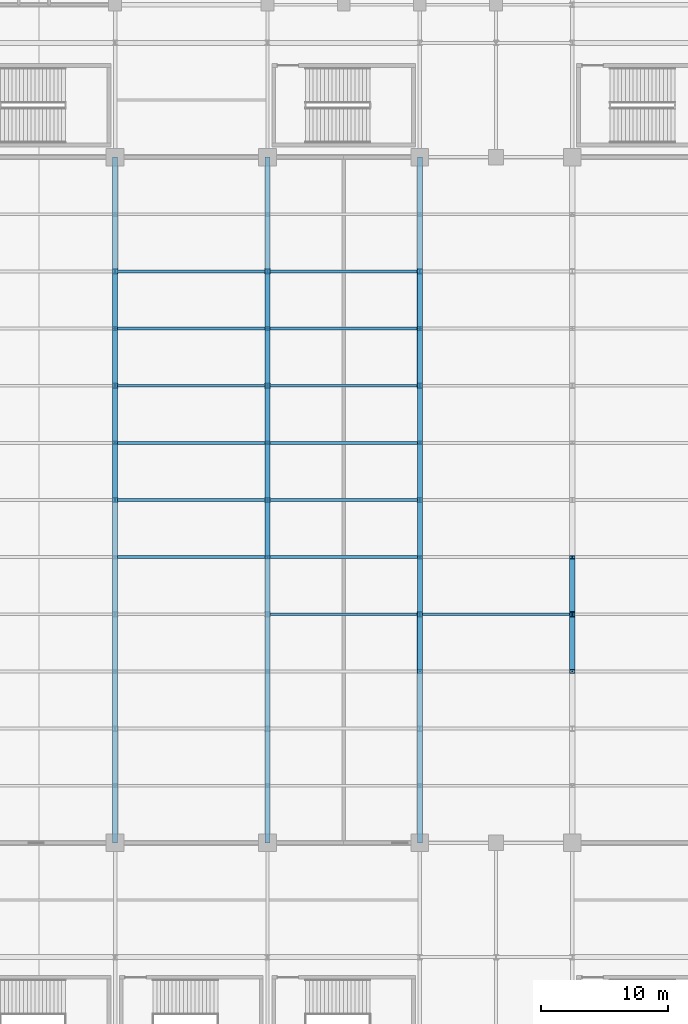
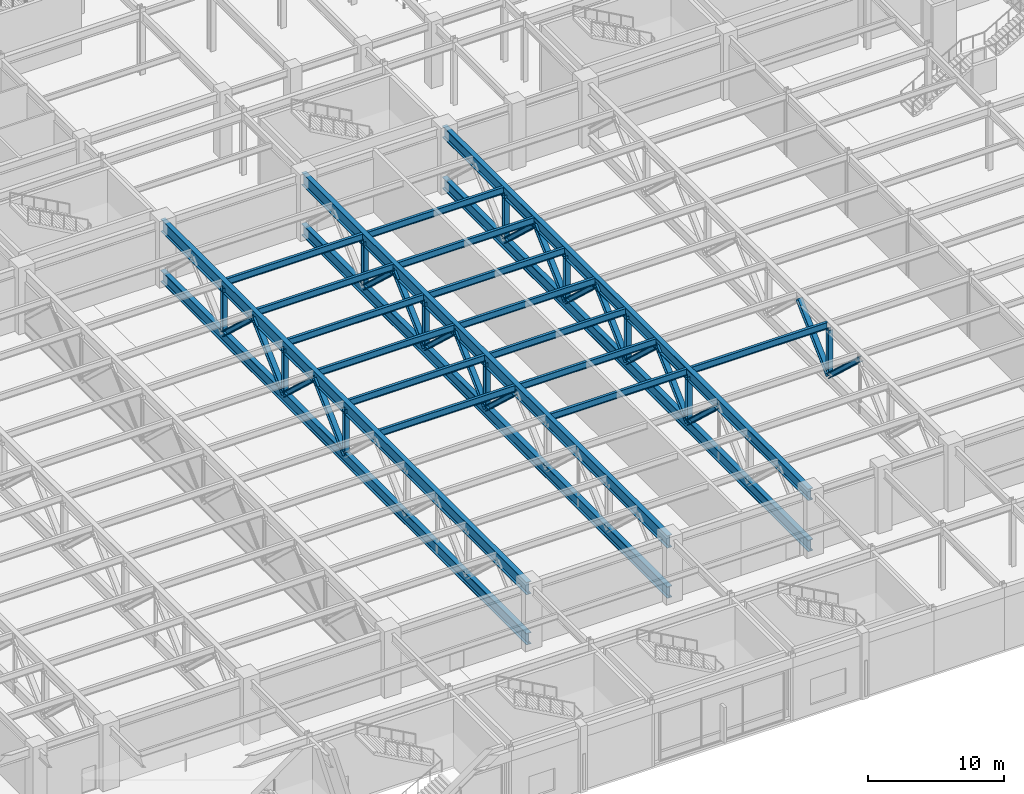
# One storey, part 40 of 108: 32 members, 17 beams.
"""IFC4 building model written with IfcOpenShell, lengths in metres."""

import ifcopenshell
import ifcopenshell.guid

model = None  # the IFC model being written
_history = None  # IfcOwnerHistory: only IFC2X3 demands one
_inside = {}  # id of a spatial element -> (the spatial element, [elements in it])
_under = {}  # id of a project, library or spatial element -> (it, [spatial elements below it])
_declared = {}  # id of a project -> (the project, [libraries it declares])
_typed = {}  # id of a type object -> (the type object, [elements of that type])
_made_of = {}  # id of a material, layer set ... -> (it, [elements and type objects made of it])


def new_model(schema):
    """Start an empty IFC model of exactly this schema.

    Asked for "IFC4X3", IfcOpenShell would pick the latest addendum, in which some entities
    have other attributes; the version numbers below select the first issue.
    IFC2X3 requires an IfcOwnerHistory on every rooted entity: one is made here for all.
    """
    global model, _history
    if schema == "IFC4X3":
        model = ifcopenshell.file(schema_version=(4, 3, 0, 0))
    else:
        model = ifcopenshell.file(schema=schema)
    _inside.clear()
    _under.clear()
    _declared.clear()
    _typed.clear()
    _made_of.clear()
    _history = None
    if model.schema == "IFC2X3":
        org = make("IfcOrganization", Name="unknown")
        user = make(
            "IfcPersonAndOrganization",
            ThePerson=make("IfcPerson", FamilyName="unknown"),
            TheOrganization=org,
        )
        app = make(
            "IfcApplication",
            ApplicationDeveloper=org,
            Version="unknown",
            ApplicationFullName="unknown",
            ApplicationIdentifier="unknown",
        )
        _history = make(
            "IfcOwnerHistory",
            OwningUser=user,
            OwningApplication=app,
            ChangeAction="ADDED",
            CreationDate=0,
        )
    return model


def make(cls, **values):
    """One entity of the class cls with the attributes given. An attribute that is None is left unset."""
    return model.create_entity(
        cls, **{name: value for name, value in values.items() if value is not None}
    )


def rooted(cls, **values):
    """An entity with a GlobalId (a new one), such as an element, a storey or a relation."""
    return make(cls, GlobalId=ifcopenshell.guid.new(), OwnerHistory=_history, **values)


def si_unit(unit_type, name, prefix=None):
    """IfcSIUnit, for example si_unit("LENGTHUNIT", "METRE", prefix="MILLI")."""
    return make("IfcSIUnit", UnitType=unit_type, Prefix=prefix, Name=name)


def assignment(units):
    """IfcUnitAssignment: the units of a project."""
    return None if units is None else make("IfcUnitAssignment", Units=units)


def point(xyz):
    """IfcCartesianPoint."""
    return None if xyz is None else make("IfcCartesianPoint", Coordinates=xyz)


def direction(xyz):
    """IfcDirection."""
    return None if xyz is None else make("IfcDirection", DirectionRatios=xyz)


def frame(location, z_axis=None, x_axis=None):
    """IfcAxis2Placement3D, a coordinate frame: its origin and axes. An axis left out is left unset."""
    return make(
        "IfcAxis2Placement3D",
        Location=point(location),
        Axis=direction(z_axis),
        RefDirection=direction(x_axis),
    )


def frame_2d(location, x_axis=None):
    """IfcAxis2Placement2D, a coordinate frame in the plane: its origin and x axis."""
    return make(
        "IfcAxis2Placement2D", Location=point(location), RefDirection=direction(x_axis)
    )


def origin():
    """The frame at (0, 0, 0) with its axes left unset."""
    return frame((0.0, 0.0, 0.0))


def origin_2d():
    """The frame at (0, 0) in the plane with its x axis left unset."""
    return frame_2d((0.0, 0.0))


def place(relative_to, where):
    """IfcLocalPlacement: puts the frame where relative to a parent placement (None: the world)."""
    return make(
        "IfcLocalPlacement", PlacementRelTo=relative_to, RelativePlacement=where
    )


def context(
    kind, dimensions, precision=None, world=None, true_north=None, identifier=None
):
    """IfcGeometricRepresentationContext, for example the 3D "Model" context."""
    return make(
        "IfcGeometricRepresentationContext",
        ContextIdentifier=identifier,
        ContextType=kind,
        CoordinateSpaceDimension=dimensions,
        Precision=precision,
        WorldCoordinateSystem=world,
        TrueNorth=true_north,
    )


def subcontext(parent, identifier, kind, view, scale=None):
    """IfcGeometricRepresentationSubContext, for example "Body" below "Model"."""
    return make(
        "IfcGeometricRepresentationSubContext",
        ContextIdentifier=identifier,
        ContextType=kind,
        ParentContext=parent,
        TargetScale=scale,
        TargetView=view,
    )


def project(units=None, contexts=None):
    """IfcProject with its units and contexts."""
    return rooted(
        "IfcProject",
        Name="project",
        RepresentationContexts=contexts,
        UnitsInContext=assignment(units),
    )


def spatial(cls, under=None, at=None, **own):
    """A site, building, storey or space (cls), placed at a placement, below another one or the project."""
    s = rooted(cls, ObjectPlacement=at, **own)
    if under is not None:
        _under.setdefault(under.id(), (under, []))[1].append(s)
    return s


def profile(cls, at=None, kind="AREA", **sizes):
    """A parametric profile (cls). Its sizes go by their IFC names, for example OverallWidth=200.0."""
    return make(cls, ProfileType=kind, Position=at, **sizes)


def i_section(**sizes):
    """IfcIShapeProfileDef."""
    return profile("IfcIShapeProfileDef", **sizes)


def extrude(swept, where, along, depth):
    """IfcExtrudedAreaSolid: the profile swept, set in the frame where, extruded along a direction by depth."""
    return make(
        "IfcExtrudedAreaSolid",
        SweptArea=swept,
        Position=where,
        ExtrudedDirection=direction(along),
        Depth=depth,
    )


def shape(context_of_items, identifier, shape_type, items):
    """IfcShapeRepresentation: the items that make up one representation, for example the "Body"."""
    return make(
        "IfcShapeRepresentation",
        ContextOfItems=context_of_items,
        RepresentationIdentifier=identifier,
        RepresentationType=shape_type,
        Items=items,
    )


def material(Name=None, Category=None):
    """IfcMaterial."""
    return make("IfcMaterial", Name=Name, Category=Category)


def material_profile(
    of_material, cross_section, Name=None, Category=None, Priority=None
):
    """IfcMaterialProfile: a cross section and its material."""
    return make(
        "IfcMaterialProfile",
        Name=Name,
        Material=of_material,
        Profile=cross_section,
        Priority=Priority,
        Category=Category,
    )


def profile_set(profiles, Name=None, composite=None):
    """IfcMaterialProfileSet."""
    return make(
        "IfcMaterialProfileSet",
        Name=Name,
        MaterialProfiles=profiles,
        CompositeProfile=composite,
    )


def made_of(thing, what):
    """Note that an element or type object is made of a material, layer set ...; save() writes the relation."""
    if what is not None:
        _made_of.setdefault(what.id(), (what, []))[1].append(thing)
    return thing


def type_object(cls, material=None, **own):
    """A type object (cls), such as IfcWallType, which elements share."""
    return made_of(rooted(cls, **own), material)


def element(
    cls,
    number,
    at=None,
    inside=None,
    cuts=None,
    type_object=None,
    material=None,
    context=None,
    identifier="Body",
    shape_type=None,
    held_by="IfcProductDefinitionShape",
    body=None,
    shapes=None,
    **own,
):
    """One element of the class cls, such as IfcWall. Its Tag is "e" and its number.

    at: its placement. inside: the storey or other place that contains it. cuts: it is an
    opening in that element (IfcRelVoidsElement). A single representation is given by context,
    identifier, shape_type and body (its items); several are given by shapes. held_by: the class
    of the entity that holds the representations. save() writes the other relations.
    """
    e = rooted(cls, Tag="e%d" % number, ObjectPlacement=at, **own)
    if body is not None:
        shapes = [shape(context, identifier, shape_type, body)]
    if shapes is not None:
        e.Representation = make(held_by, Representations=shapes)
    if inside is not None:
        _inside.setdefault(inside.id(), (inside, []))[1].append(e)
    if cuts is not None:
        rooted(
            "IfcRelVoidsElement", RelatingBuildingElement=cuts, RelatedOpeningElement=e
        )
    if type_object is not None:
        _typed.setdefault(type_object.id(), (type_object, []))[1].append(e)
    return made_of(e, material)


def aggregate(whole, parts):
    """IfcRelAggregates: a whole, such as a stair, and the parts it consists of."""
    return rooted("IfcRelAggregates", RelatingObject=whole, RelatedObjects=parts)


def save(model, path):
    """Write the relations noted so far, then the file.

    IfcRelAggregates (storeys below a building ...), IfcRelContainedInSpatialStructure (elements
    in a storey), IfcRelDefinesByType, IfcRelAssociatesMaterial and IfcRelDeclares: one each for
    every whole, place, type object, material and project.
    """
    for whole, parts in _under.values():
        aggregate(whole, parts)
    for where, things in _inside.values():
        rooted(
            "IfcRelContainedInSpatialStructure",
            RelatedElements=things,
            RelatingStructure=where,
        )
    for kind, things in _typed.values():
        rooted("IfcRelDefinesByType", RelatedObjects=things, RelatingType=kind)
    for what, things in _made_of.values():
        rooted("IfcRelAssociatesMaterial", RelatedObjects=things, RelatingMaterial=what)
    for by, libraries in _declared.values():
        rooted("IfcRelDeclares", RelatingContext=by, RelatedDefinitions=libraries)
    model.write(path)


model = new_model("IFC4")

# Units and contexts
model_context = context("Model", 3, precision=1e-05, world=origin(), true_north=direction((0.0, 1.0)))
body_context = subcontext(model_context, "Body", "Model", "MODEL_VIEW")
ifc_project = project(units=[si_unit("LENGTHUNIT", "METRE"), si_unit("AREAUNIT", "SQUARE_METRE"), si_unit("VOLUMEUNIT", "CUBIC_METRE"), si_unit("PLANEANGLEUNIT", "RADIAN"), si_unit("MASSUNIT", "GRAM", prefix="KILO")], contexts=[model_context])

# Site, building, storey
site_placement = place(None, origin())
site = spatial("IfcSite", under=ifc_project, at=site_placement, CompositionType="ELEMENT")
building_placement = place(site_placement, origin())
building = spatial("IfcBuilding", under=site, at=building_placement, Name="Kaldorvane Square Convention Centre", CompositionType="ELEMENT")
storey_placement = place(building_placement, frame((0.0, 0.0, 12.0)))
storey = spatial("IfcBuildingStorey", under=building, at=storey_placement, Name="L02", CompositionType="ELEMENT", Elevation=12.0)

# Beams
ifc_material = material(Name="Steel ASTM A992 Gr. 50", Category="steel")
ifc_material_profile_1 = material_profile(ifc_material, i_section(OverallWidth=0.2277069091796875, OverallDepth=0.6027069091796875, WebThickness=0.010498046875, FlangeThickness=0.014892578125, FilletRadius=0.0126953125, at=origin_2d()), Name="W24X68")
ifc_profile_set_1 = profile_set([ifc_material_profile_1], Name="Steel ASTM A992 Gr. 50")
beam_type_1 = type_object("IfcBeamType", Name="BM-JS-W24X68", PredefinedType="JOIST", material=ifc_profile_set_1)
for number, where, z_axis, x_axis, name in (
    (1, (66.20249938964844, 40.5, 5.3446044921875), (1.0, 0.0, 0.0), (0.0, 1.0, 0.0), "Hall Composite Floor Joist (L02)"),
    (2, (66.20249938964844, 45.0, 5.3446044921875), (1.0, 0.0, 0.0), (0.0, 1.0, 0.0), "Hall Composite Floor Joist (L02)"),
    (3, (66.20249938964844, 49.5, 5.3446044921875), (1.0, 0.0, 0.0), (0.0, 1.0, 0.0), "Hall Composite Floor Joist (L02)"),
    (4, (66.20249938964844, 54.0, 5.3446044921875), (1.0, 0.0, 0.0), (0.0, 1.0, 0.0), "Hall Composite Floor Joist (L02)"),
    (5, (66.20249938964844, 58.5, 5.3446044921875), (1.0, 0.0, 0.0), (0.0, 1.0, 0.0), "Hall Composite Floor Joist (L02)"),
    (6, (66.20249938964844, 63.0, 5.3446044921875), (1.0, 0.0, 0.0), (0.0, 1.0, 0.0), "Hall Composite Floor Joist (L02)"),
):
    element("IfcBeam", number, at=place(storey_placement, frame(where, z_axis=z_axis, x_axis=x_axis)), inside=storey, type_object=beam_type_1, Name=name, PredefinedType="JOIST", context=body_context, shape_type="SweptSolid", body=[
        extrude(i_section(OverallWidth=0.2277069091796875, OverallDepth=0.6027069091796875, WebThickness=0.010498046875, FlangeThickness=0.014892578125, FilletRadius=0.0126953125, at=origin_2d()), origin(), (0.0, 0.0, 1.0), 11.595001220703125),
    ])
for number, where, z_axis, x_axis, name in (
    (7, (78.20249938964844, 36.0, 5.3446044921875), (1.0, 0.0, 0.0), (0.0, 1.0, 0.0), "Hall Composite Floor Joist (L02)"),
    (8, (78.20249938964844, 40.5, 5.3446044921875), (1.0, 0.0, 0.0), (0.0, 1.0, 0.0), "Hall Composite Floor Joist (L02)"),
    (9, (78.20249938964844, 45.0, 5.3446044921875), (1.0, 0.0, 0.0), (0.0, 1.0, 0.0), "Hall Composite Floor Joist (L02)"),
    (10, (78.20249938964844, 49.5, 5.3446044921875), (1.0, 0.0, 0.0), (0.0, 1.0, 0.0), "Hall Composite Floor Joist (L02)"),
    (11, (78.20249938964844, 54.0, 5.3446044921875), (1.0, 0.0, 0.0), (0.0, 1.0, 0.0), "Hall Composite Floor Joist (L02)"),
    (12, (78.20249938964844, 58.5, 5.3446044921875), (1.0, 0.0, 0.0), (0.0, 1.0, 0.0), "Hall Composite Floor Joist (L02)"),
    (13, (78.20249938964844, 63.0, 5.3446044921875), (1.0, 0.0, 0.0), (0.0, 1.0, 0.0), "Hall Composite Floor Joist (L02)"),
):
    element("IfcBeam", number, at=place(storey_placement, frame(where, z_axis=z_axis, x_axis=x_axis)), inside=storey, type_object=beam_type_1, Name=name, PredefinedType="JOIST", context=body_context, shape_type="SweptSolid", body=[
        extrude(i_section(OverallWidth=0.2277069091796875, OverallDepth=0.6027069091796875, WebThickness=0.010498046875, FlangeThickness=0.014892578125, FilletRadius=0.0126953125, at=origin_2d()), origin(), (0.0, 0.0, 1.0), 11.592697143554688),
    ])
beam_1_placement = place(storey_placement, frame((90.20480346679688, 36.0, 5.3446044921875), z_axis=(1.0, 0.0, 0.0), x_axis=(0.0, 1.0, 0.0)))
element("IfcBeam", 14, at=beam_1_placement, inside=storey, type_object=beam_type_1, Name="Hall Composite Floor Joist (L02)", PredefinedType="JOIST", context=body_context, shape_type="SweptSolid", body=[
    extrude(i_section(OverallWidth=0.2277069091796875, OverallDepth=0.6027069091796875, WebThickness=0.010498046875, FlangeThickness=0.014892578125, FilletRadius=0.0126953125, at=origin_2d()), origin(), (0.0, 0.0, 1.0), 11.59039306640625),
])
ifc_material_profile_2 = material_profile(ifc_material, i_section(OverallWidth=0.40960693359375, OverallDepth=1.0413970947265625, WebThickness=0.031005859375, FlangeThickness=0.0558929443359375, FilletRadius=0.0305023193359375, at=origin_2d()), Name="W40X397")
ifc_profile_set_2 = profile_set([ifc_material_profile_2], Name="Steel ASTM A992 Gr. 50")
beam_type_2 = type_object("IfcBeamType", Name="BM-TG-W40X397", PredefinedType="USERDEFINED", material=ifc_profile_set_2)
beam_2_placement = place(storey_placement, frame((90.0, 18.0, 5.12530517578125), z_axis=(0.0, 1.0, 0.0), x_axis=(-1.0, 0.0, 0.0)))
element("IfcBeam", 15, at=beam_2_placement, inside=storey, type_object=beam_type_2, Name="Transfer Truss TT-06 Top Chord", ObjectType="TRANSFER GIRDER", PredefinedType="USERDEFINED", context=body_context, shape_type="SweptSolid", body=[
    extrude(i_section(OverallWidth=0.40960693359375, OverallDepth=1.0413970947265625, WebThickness=0.031005859375, FlangeThickness=0.0558929443359375, FilletRadius=0.0305023193359375, at=origin_2d()), origin(), (0.0, 0.0, 1.0), 54.0),
])
ifc_material_profile_3 = material_profile(ifc_material, i_section(OverallWidth=0.404998779296875, OverallDepth=1.1179962158203125, WebThickness=0.0261993408203125, FlangeThickness=0.0449981689453125, FilletRadius=0.0254058837890625, at=origin_2d()), Name="W44X335")
ifc_profile_set_3 = profile_set([ifc_material_profile_3], Name="Steel ASTM A992 Gr. 50")
beam_type_3 = type_object("IfcBeamType", Name="BM-TG-W44X335", PredefinedType="USERDEFINED", material=ifc_profile_set_3)
for number, where, z_axis, x_axis, name in (
    (16, (66.0, 18.0, 5.087005615234375), (0.0, 1.0, 0.0), (-1.0, 0.0, 0.0), "Transfer Truss TT-04 Top Chord"),
    (17, (78.0, 18.0, 5.087005615234375), (0.0, 1.0, 0.0), (-1.0, 0.0, 0.0), "Transfer Truss TT-05 Top Chord"),
):
    element("IfcBeam", number, at=place(storey_placement, frame(where, z_axis=z_axis, x_axis=x_axis)), inside=storey, type_object=beam_type_3, Name=name, ObjectType="TRANSFER GIRDER", PredefinedType="USERDEFINED", context=body_context, shape_type="SweptSolid", body=[
        extrude(i_section(OverallWidth=0.404998779296875, OverallDepth=1.1179962158203125, WebThickness=0.0261993408203125, FlangeThickness=0.0449981689453125, FilletRadius=0.0254058837890625, at=origin_2d()), origin(), (0.0, 0.0, 1.0), 54.0),
    ])

# Members
ifc_material_profile_4 = material_profile(ifc_material, i_section(OverallWidth=0.4062957763671875, OverallDepth=0.416107177734375, WebThickness=0.0298004150390625, FlangeThickness=0.048004150390625, FilletRadius=0.0305023193359375, at=origin_2d()), Name="W14X257")
ifc_profile_set_4 = profile_set([ifc_material_profile_4], Name="Steel ASTM A992 Gr. 50")
member_type_1 = type_object("IfcMemberType", Name="MB-BR-W14X257", PredefinedType="BRACE", material=ifc_profile_set_4)
for number, where, z_axis, x_axis, name in (
    (18, (66.0, 45.0, 0.7299957275390625), (0.0, 0.731436442842, 0.681909620172), (-1.0, 0.0, 0.0), "Transfer Truss TT-04 Web Diagonal 4A"),
    (19, (66.0, 49.5, 4.92529296875), (0.0, 0.731436442842, -0.681909620172), (-1.0, 0.0, 0.0), "Transfer Truss TT-04 Web Diagonal 4B"),
    (20, (78.0, 40.5, 4.92529296875), (0.0, 0.731436442842, -0.681909620172), (-1.0, 0.0, 0.0), "Transfer Truss TT-05 Web Diagonal 3B"),
    (21, (78.0, 45.0, 0.7299957275390625), (0.0, 0.731436442842, 0.681909620172), (-1.0, 0.0, 0.0), "Transfer Truss TT-05 Web Diagonal 4A"),
    (22, (78.0, 49.5, 4.92529296875), (0.0, 0.731436442842, -0.681909620172), (-1.0, 0.0, 0.0), "Transfer Truss TT-05 Web Diagonal 4B"),
    (23, (90.0, 36.0, 0.7299957275390625), (0.0, 0.731436442842, 0.681909620172), (-1.0, 0.0, 0.0), "Transfer Truss TT-06 Web Diagonal 3A"),
    (24, (90.0, 40.5, 4.92529296875), (0.0, 0.731436442842, -0.681909620172), (-1.0, 0.0, 0.0), "Transfer Truss TT-06 Web Diagonal 3B"),
    (25, (90.0, 45.0, 0.7299957275390625), (0.0, 0.731436442842, 0.681909620172), (-1.0, 0.0, 0.0), "Transfer Truss TT-06 Web Diagonal 4A"),
    (26, (90.0, 49.5, 4.92529296875), (0.0, 0.731436442842, -0.681909620172), (-1.0, 0.0, 0.0), "Transfer Truss TT-06 Web Diagonal 4B"),
    (27, (102.0, 36.0, 0.7299957275390625), (0.0, 0.731436442842, 0.681909620172), (-1.0, 0.0, 0.0), "Transfer Truss TT-07 Web Diagonal 3A"),
):
    element("IfcMember", number, at=place(storey_placement, frame(where, z_axis=z_axis, x_axis=x_axis)), inside=storey, type_object=member_type_1, Name=name, PredefinedType="BRACE", context=body_context, shape_type="SweptSolid", body=[
        extrude(i_section(OverallWidth=0.4062957763671875, OverallDepth=0.416107177734375, WebThickness=0.0298004150390625, FlangeThickness=0.048004150390625, FilletRadius=0.0305023193359375, at=origin_2d()), origin(), (0.0, 0.0, 1.0), 6.15228271484375),
    ])
ifc_material_profile_5 = material_profile(ifc_material, i_section(OverallWidth=0.412200927734375, OverallDepth=0.4347991943359375, WebThickness=0.035797119140625, FlangeThickness=0.057403564453125, FilletRadius=0.0305023193359375, at=origin_2d()), Name="W14X311")
ifc_profile_set_5 = profile_set([ifc_material_profile_5], Name="Steel ASTM A992 Gr. 50")
member_type_2 = type_object("IfcMemberType", Name="MB-BR-W14X311", PredefinedType="BRACE", material=ifc_profile_set_5)
for number, where, z_axis, x_axis, name in (
    (28, (66.0, 54.0, 0.7299957275390625), (0.0, 0.731436442842, 0.681909620172), (-1.0, 0.0, 0.0), "Transfer Truss TT-04 Web Diagonal 5A"),
    (29, (66.0, 58.5, 4.92529296875), (0.0, 0.731436442842, -0.681909620172), (-1.0, 0.0, 0.0), "Transfer Truss TT-04 Web Diagonal 5B"),
    (30, (78.0, 54.0, 0.7299957275390625), (0.0, 0.731436442842, 0.681909620172), (-1.0, 0.0, 0.0), "Transfer Truss TT-05 Web Diagonal 5A"),
    (31, (78.0, 58.5, 4.92529296875), (0.0, 0.731436442842, -0.681909620172), (-1.0, 0.0, 0.0), "Transfer Truss TT-05 Web Diagonal 5B"),
    (32, (90.0, 31.5, 4.92529296875), (0.0, 0.731436442842, -0.681909620172), (-1.0, 0.0, 0.0), "Transfer Truss TT-06 Web Diagonal 2B"),
    (33, (90.0, 54.0, 0.7299957275390625), (0.0, 0.731436442842, 0.681909620172), (-1.0, 0.0, 0.0), "Transfer Truss TT-06 Web Diagonal 5A"),
    (34, (90.0, 58.5, 4.92529296875), (0.0, 0.731436442842, -0.681909620172), (-1.0, 0.0, 0.0), "Transfer Truss TT-06 Web Diagonal 5B"),
    (35, (102.0, 31.5, 4.92529296875), (0.0, 0.731436442842, -0.681909620172), (-1.0, 0.0, 0.0), "Transfer Truss TT-07 Web Diagonal 2B"),
):
    element("IfcMember", number, at=place(storey_placement, frame(where, z_axis=z_axis, x_axis=x_axis)), inside=storey, type_object=member_type_2, Name=name, PredefinedType="BRACE", context=body_context, shape_type="SweptSolid", body=[
        extrude(i_section(OverallWidth=0.412200927734375, OverallDepth=0.4347991943359375, WebThickness=0.035797119140625, FlangeThickness=0.057403564453125, FilletRadius=0.0305023193359375, at=origin_2d()), origin(), (0.0, 0.0, 1.0), 6.15228271484375),
    ])
ifc_material_profile_6 = material_profile(ifc_material, i_section(OverallWidth=0.40960693359375, OverallDepth=1.0413970947265625, WebThickness=0.031005859375, FlangeThickness=0.0558929443359375, FilletRadius=0.0305023193359375, at=origin_2d()), Name="W40X397")
ifc_profile_set_6 = profile_set([ifc_material_profile_6], Name="Steel ASTM A992 Gr. 50")
member_type_3 = type_object("IfcMemberType", Name="MB-CH-W40X397", PredefinedType="CHORD", material=ifc_profile_set_6)
for number, where, z_axis, x_axis, name in (
    (36, (66.0, 18.0, 0.529998779296875), (0.0, 1.0, 0.0), (-1.0, 0.0, 0.0), "Transfer Truss TT-04 Bottom Chord"),
    (37, (78.0, 18.0, 0.529998779296875), (0.0, 1.0, 0.0), (-1.0, 0.0, 0.0), "Transfer Truss TT-05 Bottom Chord"),
    (38, (90.0, 18.0, 0.529998779296875), (0.0, 1.0, 0.0), (-1.0, 0.0, 0.0), "Transfer Truss TT-06 Bottom Chord"),
):
    element("IfcMember", number, at=place(storey_placement, frame(where, z_axis=z_axis, x_axis=x_axis)), inside=storey, type_object=member_type_3, Name=name, PredefinedType="CHORD", context=body_context, shape_type="SweptSolid", body=[
        extrude(i_section(OverallWidth=0.40960693359375, OverallDepth=1.0413970947265625, WebThickness=0.031005859375, FlangeThickness=0.0558929443359375, FilletRadius=0.0305023193359375, at=origin_2d()), origin(), (0.0, 0.0, 1.0), 54.0),
    ])
ifc_material_profile_7 = material_profile(ifc_material, i_section(OverallWidth=0.3990020751953125, OverallDepth=0.3932037353515625, WebThickness=0.0225982666015625, FlangeThickness=0.0366058349609375, FilletRadius=0.0305023193359375, at=origin_2d()), Name="W14X193")
ifc_profile_set_7 = profile_set([ifc_material_profile_7], Name="Steel ASTM A992 Gr. 50")
member_type_4 = type_object("IfcMemberType", Name="MB-PS-W14X193", PredefinedType="POST", material=ifc_profile_set_7)
for number, where, z_axis, x_axis, name in (
    (39, (66.0, 45.0, 1.0099945068359375), (0.0, 0.0, 1.0), (1.0, 0.0, 0.0), "Transfer Truss TT-04 Vertical Post 3"),
    (40, (66.0, 54.0, 1.0099945068359375), (0.0, 0.0, 1.0), (1.0, 0.0, 0.0), "Transfer Truss TT-04 Vertical Post 4"),
    (41, (66.0, 63.0, 1.0099945068359375), (0.0, 0.0, 1.0), (1.0, 0.0, 0.0), "Transfer Truss TT-04 Vertical Post 5"),
    (42, (78.0, 45.0, 1.0099945068359375), (0.0, 0.0, 1.0), (1.0, 0.0, 0.0), "Transfer Truss TT-05 Vertical Post 3"),
    (43, (78.0, 54.0, 1.0099945068359375), (0.0, 0.0, 1.0), (1.0, 0.0, 0.0), "Transfer Truss TT-05 Vertical Post 4"),
    (44, (78.0, 63.0, 1.0099945068359375), (0.0, 0.0, 1.0), (1.0, 0.0, 0.0), "Transfer Truss TT-05 Vertical Post 5"),
    (45, (90.0, 36.0, 1.0099945068359375), (0.0, 0.0, 1.0), (1.0, 0.0, 0.0), "Transfer Truss TT-06 Vertical Post 2"),
    (46, (90.0, 45.0, 1.0099945068359375), (0.0, 0.0, 1.0), (1.0, 0.0, 0.0), "Transfer Truss TT-06 Vertical Post 3"),
    (47, (90.0, 54.0, 1.0099945068359375), (0.0, 0.0, 1.0), (1.0, 0.0, 0.0), "Transfer Truss TT-06 Vertical Post 4"),
    (48, (90.0, 63.0, 1.0099945068359375), (0.0, 0.0, 1.0), (1.0, 0.0, 0.0), "Transfer Truss TT-06 Vertical Post 5"),
    (49, (102.0, 36.0, 1.0099945068359375), (0.0, 0.0, 1.0), (1.0, 0.0, 0.0), "Transfer Truss TT-07 Vertical Post 2"),
):
    element("IfcMember", number, at=place(storey_placement, frame(where, z_axis=z_axis, x_axis=x_axis)), inside=storey, type_object=member_type_4, Name=name, PredefinedType="POST", context=body_context, shape_type="SweptSolid", body=[
        extrude(i_section(OverallWidth=0.3990020751953125, OverallDepth=0.3932037353515625, WebThickness=0.0225982666015625, FlangeThickness=0.0366058349609375, FilletRadius=0.0305023193359375, at=origin_2d()), origin(), (0.0, 0.0, 1.0), 3.9152984619140625),
    ])

save(model, "model.ifc")
